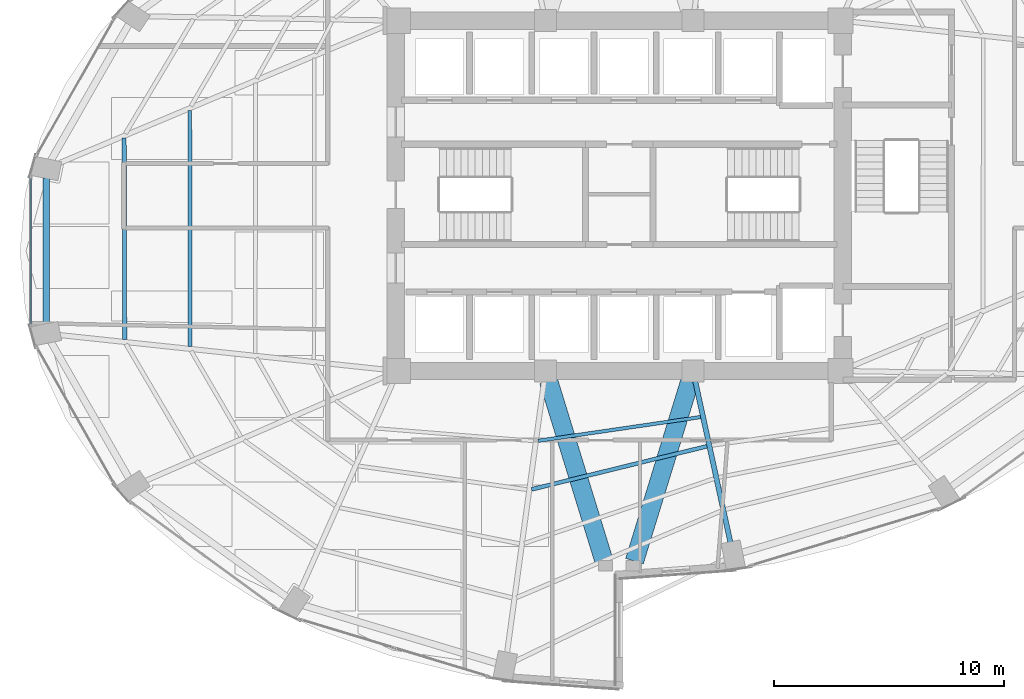
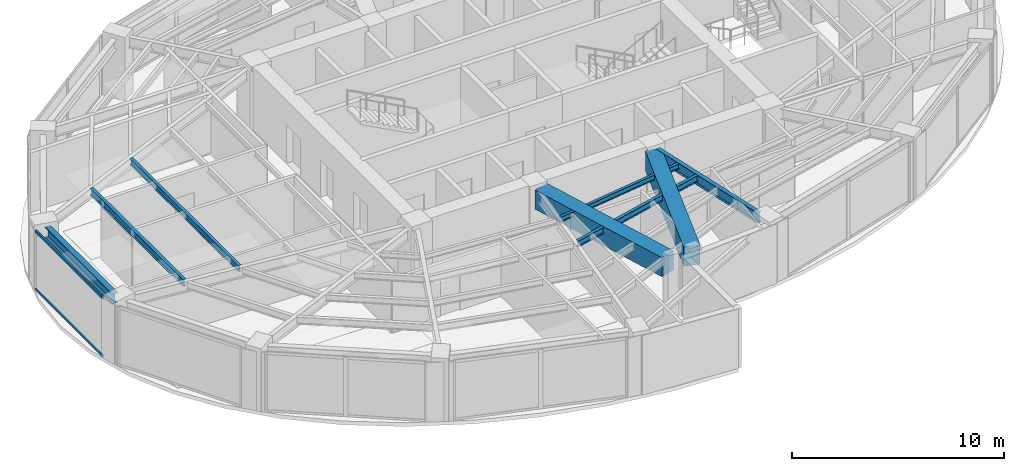
# One storey, part 7 of 23: 8 beams, 2 members, 1 element without a shape of its own.
"""IFC4 building model written with IfcOpenShell, lengths in metres."""

from ifc_helpers import new_model, si_unit, direction, frame, origin, origin_2d, place, context, subcontext, project, spatial, rectangle, hollow_rectangle, i_section, extrude, material, layer, layer_set, material_profile, profile_set, type_object, element, aggregate, save


model = new_model("IFC4")

# Units and contexts
model_context = context("Model", 3, precision=1e-05, world=origin(), true_north=direction((0.0, 1.0)))
body_context = subcontext(model_context, "Body", "Model", "MODEL_VIEW")
ifc_project = project(units=[si_unit("LENGTHUNIT", "METRE"), si_unit("AREAUNIT", "SQUARE_METRE"), si_unit("VOLUMEUNIT", "CUBIC_METRE"), si_unit("PLANEANGLEUNIT", "RADIAN"), si_unit("MASSUNIT", "GRAM", prefix="KILO")], contexts=[model_context])

# Site, building, storey
site_placement = place(None, origin())
site = spatial("IfcSite", under=ifc_project, at=site_placement, CompositionType="ELEMENT")
building_placement = place(site_placement, origin())
building = spatial("IfcBuilding", under=site, at=building_placement, Name="Lazwardi Medical Tower", CompositionType="ELEMENT")
storey_placement = place(building_placement, frame((0.0, 0.0, 85.39208984375)))
storey = spatial("IfcBuildingStorey", under=building, at=storey_placement, Name="L21", CompositionType="ELEMENT", Elevation=85.39208984375)

# Beams
ifc_material_1 = material(Name="Concrete C70/85", Category="concrete")
ifc_material_profile_1 = material_profile(ifc_material_1, rectangle(XDim=0.800048828125, YDim=1.10009765625, at=origin_2d()), Name="RC 800x1100")
ifc_profile_set_1 = profile_set([ifc_material_profile_1], Name="Concrete C70/85")
beam_type_1 = type_object("IfcBeamType", Name="BM-CB-RC1", PredefinedType="LINTEL", material=ifc_profile_set_1)
for number, where, z_axis, x_axis, name in (
    (1, (32.935302734375, 19.960205078125, 2.8779296875), (0.294073251002, -0.955782884888, 0.0), (0.955782884888, 0.294073251002, 0.0), "Core coupling lintel CB-01 PL3 L21"),
    (2, (39.064697265625, 19.960205078125, 2.8779296875), (-0.294073251002, -0.955782884888, 0.0), (0.955782884888, -0.294073251002, 0.0), "Core coupling lintel CB-01 PL4 L21"),
):
    element("IfcBeam", number, at=place(storey_placement, frame(where, z_axis=z_axis, x_axis=x_axis)), inside=storey, type_object=beam_type_1, Name=name, PredefinedType="LINTEL", context=body_context, shape_type="SweptSolid", body=[
        extrude(rectangle(XDim=0.800048828125, YDim=1.10009765625, at=origin_2d()), origin(), (0.0, 0.0, 1.0), 8.1708984375),
    ])
ifc_material_2 = material(Name="Steel S355", Category="steel")
ifc_material_profile_2 = material_profile(ifc_material_2, i_section(OverallWidth=0.300048828125, OverallDepth=0.60009765625, WebThickness=0.015380859375, FlangeThickness=0.030029296875, at=origin_2d()), Name="HEB 600")
ifc_profile_set_2 = profile_set([ifc_material_profile_2], Name="Steel S355")
beam_type_2 = type_object("IfcBeamType", Name="BM-RB-Z2", PredefinedType="BEAM", material=ifc_profile_set_2)
beam_1_placement = place(storey_placement, frame((11.13720703125, 28.77001953125, 3.1279296875), z_axis=(0.0, -1.0, 0.0), x_axis=(1.0, 0.0, 0.0)))
element("IfcBeam", 3, at=beam_1_placement, inside=storey, type_object=beam_type_2, Name="Ring beam RB-03 B12 L21", PredefinedType="BEAM", context=body_context, shape_type="SweptSolid", body=[
    extrude(i_section(OverallWidth=0.300048828125, OverallDepth=0.60009765625, WebThickness=0.015380859375, FlangeThickness=0.030029296875, at=origin_2d()), origin(), (0.0, 0.0, 1.0), 6.33984375),
])
ifc_material_profile_3 = material_profile(ifc_material_2, i_section(OverallWidth=0.219970703125, OverallDepth=0.60009765625, WebThickness=0.011962890625, FlangeThickness=0.01904296875, at=origin_2d()), Name="IPE 600")
ifc_profile_set_3 = profile_set([ifc_material_profile_3], Name="Steel S355")
beam_type_3 = type_object("IfcBeamType", Name="BM-RG-W1", PredefinedType="BEAM", material=ifc_profile_set_3)
beam_2_placement = place(storey_placement, frame((40.82177734375, 12.96923828125, 3.1279296875), z_axis=(-0.213228150441, 0.977002433907, 0.0), x_axis=(-0.977002433907, -0.213228150441, 0.0)))
element("IfcBeam", 4, at=beam_2_placement, inside=storey, type_object=beam_type_3, Name="Radial girder RG-02 R01 L21", PredefinedType="BEAM", context=body_context, shape_type="SweptSolid", body=[
    extrude(i_section(OverallWidth=0.219970703125, OverallDepth=0.60009765625, WebThickness=0.011962890625, FlangeThickness=0.01904296875, at=origin_2d()), origin(), (0.0, 0.0, 1.0), 7.145751953125),
])
ifc_material_profile_4 = material_profile(ifc_material_2, i_section(OverallWidth=0.179931640625, OverallDepth=0.39990234375, WebThickness=0.008544921875, FlangeThickness=0.013427734375, at=origin_2d()), Name="IPE 400")
ifc_profile_set_4 = profile_set([ifc_material_profile_4], Name="Steel S355")
beam_type_4 = type_object("IfcBeamType", Name="BM-SJ-01", PredefinedType="JOIST", material=ifc_profile_set_4)
beam_3_placement = place(storey_placement, frame((14.51904296875, 30.497314453125, 3.22802734375), z_axis=(0.002907126978, -0.999995774297, 0.0), x_axis=(0.999995774297, 0.002907126978, 0.0)))
element("IfcBeam", 5, at=beam_3_placement, inside=storey, type_object=beam_type_4, Name="Secondary joist SJ-01 R1 B12 L21", PredefinedType="JOIST", context=body_context, shape_type="SweptSolid", body=[
    extrude(i_section(OverallWidth=0.179931640625, OverallDepth=0.39990234375, WebThickness=0.008544921875, FlangeThickness=0.013427734375, at=origin_2d()), origin(), (0.0, 0.0, 1.0), 8.73388671875),
])
ifc_material_profile_5 = material_profile(ifc_material_2, i_section(OverallWidth=0.169921875, OverallDepth=0.360107421875, WebThickness=0.008056640625, FlangeThickness=0.0126953125, at=origin_2d()), Name="IPE 360")
ifc_profile_set_5 = profile_set([ifc_material_profile_5], Name="Steel S355")
beam_type_5 = type_object("IfcBeamType", Name="BM-SJ-02", PredefinedType="JOIST", material=ifc_profile_set_5)
beam_4_placement = place(storey_placement, frame((17.365966796875, 31.69482421875, 3.247802734375), z_axis=(0.000930565095, -0.999999567024, 0.0), x_axis=(0.999999567024, 0.000930565095, 0.0)))
element("IfcBeam", 6, at=beam_4_placement, inside=storey, type_object=beam_type_5, Name="Secondary joist SJ-02 R2 B12 L21", PredefinedType="JOIST", context=body_context, shape_type="SweptSolid", body=[
    extrude(i_section(OverallWidth=0.169921875, OverallDepth=0.360107421875, WebThickness=0.008056640625, FlangeThickness=0.0126953125, at=origin_2d()), origin(), (0.0, 0.0, 1.0), 10.23193359375),
])
beam_5_placement = place(storey_placement, frame((32.19775390625, 15.262451171875, 3.247802734375), z_axis=(0.97107737879, 0.238764998276, 0.0), x_axis=(-0.238764998276, 0.97107737879, 0.0)))
element("IfcBeam", 7, at=beam_5_placement, inside=storey, type_object=beam_type_5, Name="Secondary joist SJ-02 R3 B16 L21", PredefinedType="JOIST", context=body_context, shape_type="SweptSolid", body=[
    extrude(i_section(OverallWidth=0.169921875, OverallDepth=0.360107421875, WebThickness=0.008056640625, FlangeThickness=0.0126953125, at=origin_2d()), origin(), (0.0, 0.0, 1.0), 7.83447265625),
])
ifc_material_profile_6 = material_profile(ifc_material_2, i_section(OverallWidth=0.14990234375, OverallDepth=0.300048828125, WebThickness=0.007080078125, FlangeThickness=0.0107421875, at=origin_2d()), Name="IPE 300")
ifc_profile_set_6 = profile_set([ifc_material_profile_6], Name="Steel S355")
beam_type_6 = type_object("IfcBeamType", Name="BM-SJ-03", PredefinedType="JOIST", material=ifc_profile_set_6)
beam_6_placement = place(storey_placement, frame((32.488525390625, 17.37060546875, 3.27783203125), z_axis=(0.98949221477, 0.144586157392, 0.0), x_axis=(-0.144586157392, 0.98949221477, 0.0)))
element("IfcBeam", 8, at=beam_6_placement, inside=storey, type_object=beam_type_6, Name="Secondary joist SJ-03 R4 B16 L21", PredefinedType="JOIST", context=body_context, shape_type="SweptSolid", body=[
    extrude(i_section(OverallWidth=0.14990234375, OverallDepth=0.300048828125, WebThickness=0.007080078125, FlangeThickness=0.0107421875, at=origin_2d()), origin(), (0.0, 0.0, 1.0), 7.115478515625),
])

# Curtain wall, members
ifc_material_3 = material(Name="Anodised bronze aluminium and solar control glazing", Category="aluminium")
ifc_layer = layer(ifc_material_3, 0.195068359375)
ifc_layer_set = layer_set([ifc_layer], Name="Anodised bronze aluminium and solar control glazing")
curtain_wall_type = type_object("IfcCurtainWallType", Name="CW-SYS-03", PredefinedType="NOTDEFINED", material=ifc_layer_set)
curtain_wall_placement = place(storey_placement, origin())
curtain_wall = element("IfcCurtainWall", 9, at=curtain_wall_placement, inside=storey, type_object=curtain_wall_type, Name="L21 Unitised bronze curtain wall CW-03", PredefinedType="NOTDEFINED")
ifc_material_4 = material(Name="Anodised bronze aluminium", Category="aluminium")
ifc_material_profile_7 = material_profile(ifc_material_4, hollow_rectangle(XDim=0.074951171875, YDim=0.159912109375, WallThickness=0.00390625, at=origin_2d()), Name="ALU-TRANSOM 160x75x4")
ifc_profile_set_7 = profile_set([ifc_material_profile_7], Name="Anodised bronze aluminium")
member_type = type_object("IfcMemberType", Name="CW-TRN-01", PredefinedType="USERDEFINED", material=ifc_profile_set_7)
member_1_placement = place(storey_placement, frame((10.471923828125, 28.760009765625, 0.037353515625), z_axis=(0.0, -1.0, 0.0), x_axis=(1.0, 0.0, 0.0)))
member_1 = element("IfcMember", 10, at=member_1_placement, type_object=member_type, Name="CW-03 transom 1.1", ObjectType="TRANSOM", PredefinedType="USERDEFINED", context=body_context, shape_type="SweptSolid", body=[
    extrude(hollow_rectangle(XDim=0.074951171875, YDim=0.159912109375, WallThickness=0.00390625, at=origin_2d()), origin(), (0.0, 0.0, 1.0), 6.31982421875),
])
member_2_placement = place(storey_placement, frame((10.471923828125, 28.760009765625, 3.390380859375), z_axis=(0.0, -1.0, 0.0), x_axis=(1.0, 0.0, 0.0)))
member_2 = element("IfcMember", 11, at=member_2_placement, type_object=member_type, Name="CW-03 transom 1.2", ObjectType="TRANSOM", PredefinedType="USERDEFINED", context=body_context, shape_type="SweptSolid", body=[
    extrude(hollow_rectangle(XDim=0.074951171875, YDim=0.159912109375, WallThickness=0.00390625, at=origin_2d()), origin(), (0.0, 0.0, 1.0), 6.31982421875),
])
aggregate(curtain_wall, [member_1, member_2])

save(model, "model.ifc")
